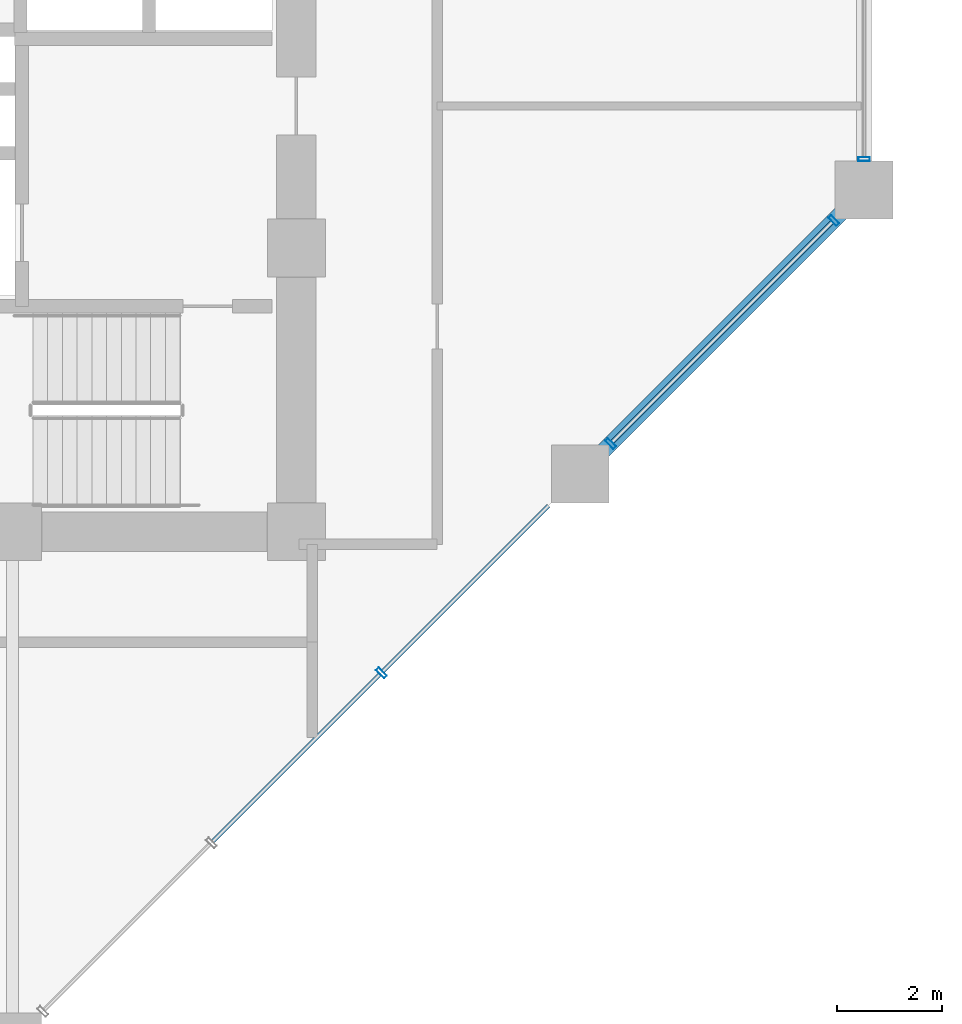
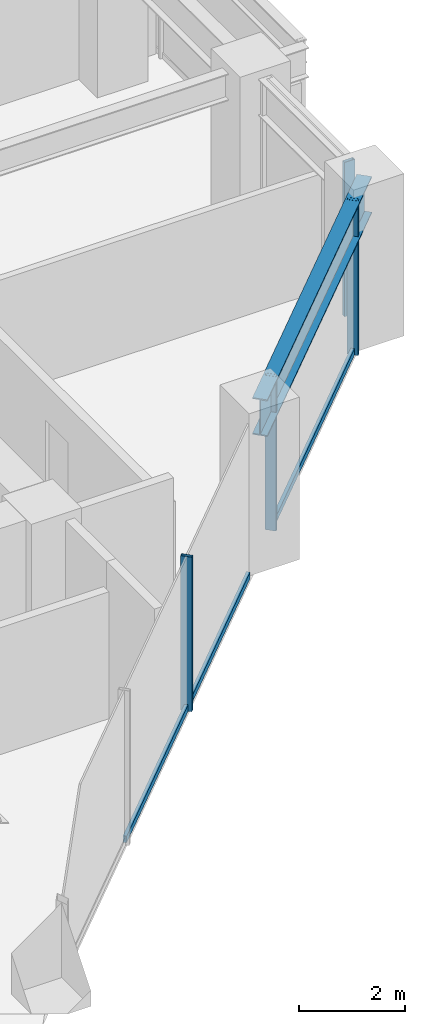
# One storey, part 8 of 26: 7 members, 1 beam, 2 elements without a shape of their own.
"""IFC4 building model written with IfcOpenShell, lengths in metres."""

from ifc_helpers import new_model, si_unit, direction, frame, origin, origin_2d, place, context, subcontext, project, spatial, hollow_rectangle, i_section, extrude, material, layer, layer_set, material_profile, profile_set, type_object, element, aggregate, save


model = new_model("IFC4")

# Units and contexts
model_context = context("Model", 3, precision=1e-05, world=origin(), true_north=direction((0.0, 1.0)))
body_context = subcontext(model_context, "Body", "Model", "MODEL_VIEW")
ifc_project = project(units=[si_unit("LENGTHUNIT", "METRE"), si_unit("AREAUNIT", "SQUARE_METRE"), si_unit("VOLUMEUNIT", "CUBIC_METRE"), si_unit("PLANEANGLEUNIT", "RADIAN"), si_unit("MASSUNIT", "GRAM", prefix="KILO")], contexts=[model_context])

# Site, building, storey
site_placement = place(None, origin())
site = spatial("IfcSite", under=ifc_project, at=site_placement, CompositionType="ELEMENT")
building_placement = place(site_placement, origin())
building = spatial("IfcBuilding", under=site, at=building_placement, Name="Surkhivell Harbour Commons", CompositionType="ELEMENT")
storey_placement = place(building_placement, frame((0.0, 0.0, 102.0)))
storey = spatial("IfcBuildingStorey", under=building, at=storey_placement, Name="L26", CompositionType="ELEMENT", Elevation=102.0)

# Beam
ifc_material_1 = material(Name="Steel S460", Category="steel")
ifc_material_profile_1 = material_profile(ifc_material_1, i_section(OverallWidth=0.2939453125, OverallDepth=0.85107421875, WebThickness=0.01611328125, FlangeThickness=0.02685546875, at=origin_2d()), Name="UB838x292x226")
ifc_profile_set_1 = profile_set([ifc_material_profile_1], Name="Steel S460")
beam_type = type_object("IfcBeamType", Name="BM-SPN-838", PredefinedType="SPANDREL", material=ifc_profile_set_1)
beam_placement = place(storey_placement, frame((16.199951171875, -9.699951171875, 3.14453125), z_axis=(0.707122765516, 0.707090796496, 0.0), x_axis=(-0.707090796496, 0.707122765516, 0.0)))
element("IfcBeam", 1, at=beam_placement, inside=storey, type_object=beam_type, Name="L26 Tube Spandrel (16.2,-9.7)", PredefinedType="SPANDREL", context=body_context, shape_type="SweptSolid", body=[
    extrude(i_section(OverallWidth=0.2939453125, OverallDepth=0.85107421875, WebThickness=0.01611328125, FlangeThickness=0.02685546875, at=origin_2d()), origin(), (0.0, 0.0, 1.0), 7.63671875),
])

# Curtain wall, members
ifc_material_2 = material(Name="Anodised pale-metal aluminium and insulated glazing", Category="aluminium")
ifc_layer = layer(ifc_material_2, 0.205078125)
ifc_layer_set = layer_set([ifc_layer], Name="Anodised pale-metal aluminium and insulated glazing")
curtain_wall_type = type_object("IfcCurtainWallType", Name="CW-SYS-Z2", PredefinedType="NOTDEFINED", material=ifc_layer_set)
curtain_wall_1_placement = place(storey_placement, origin())
curtain_wall_1 = element("IfcCurtainWall", 2, at=curtain_wall_1_placement, inside=storey, type_object=curtain_wall_type, Name="L26 Curtain Wall CW-L26-E01", PredefinedType="NOTDEFINED")
ifc_material_3 = material(Name="Anodised pale-metal aluminium alloy 6063-T6", Category="aluminium")
ifc_material_profile_2 = material_profile(ifc_material_3, hollow_rectangle(XDim=0.074951171875, YDim=0.219970703125, WallThickness=0.00390625, at=origin_2d()), Name="ALU-MULL-75x220")
ifc_profile_set_2 = profile_set([ifc_material_profile_2], Name="Anodised pale-metal aluminium alloy 6063-T6")
member_type_1 = type_object("IfcMemberType", Name="CWM-220", PredefinedType="MULLION", material=ifc_profile_set_2)
member_1_placement = place(storey_placement, frame((12.416015625, -13.48388671875, 0.0), z_axis=(0.0, 0.0, 1.0), x_axis=(0.707106781187, 0.707106781187, 0.0)))
member_1 = element("IfcMember", 3, at=member_1_placement, type_object=member_type_1, Name="CW-Z2 mullion 4", PredefinedType="MULLION", context=body_context, shape_type="SweptSolid", body=[
    extrude(hollow_rectangle(XDim=0.074951171875, YDim=0.219970703125, WallThickness=0.00390625, at=origin_2d()), origin(), (0.0, 0.0, 1.0), 3.570068359375),
])
member_2_placement = place(storey_placement, frame((16.7783203125, -9.121826171875, 0.0), z_axis=(0.0, 0.0, 1.0), x_axis=(0.707106781187, 0.707106781187, 0.0)))
member_2 = element("IfcMember", 4, at=member_2_placement, type_object=member_type_1, Name="CW-Z2 mullion 5", PredefinedType="MULLION", context=body_context, shape_type="SweptSolid", body=[
    extrude(hollow_rectangle(XDim=0.074951171875, YDim=0.219970703125, WallThickness=0.00390625, at=origin_2d()), origin(), (0.0, 0.0, 1.0), 3.570068359375),
])
member_3_placement = place(storey_placement, frame((21.021728515625, -4.878173828125, 0.0), z_axis=(0.0, 0.0, 1.0), x_axis=(0.707106781187, 0.707106781187, 0.0)))
member_3 = element("IfcMember", 5, at=member_3_placement, type_object=member_type_1, Name="CW-Z2 mullion 6", PredefinedType="MULLION", context=body_context, shape_type="SweptSolid", body=[
    extrude(hollow_rectangle(XDim=0.074951171875, YDim=0.219970703125, WallThickness=0.00390625, at=origin_2d()), origin(), (0.0, 0.0, 1.0), 3.570068359375),
])

# Curtain wall, member
curtain_wall_2_placement = place(storey_placement, origin())
curtain_wall_2 = element("IfcCurtainWall", 6, at=curtain_wall_2_placement, inside=storey, type_object=curtain_wall_type, Name="L26 Curtain Wall CW-L26-E02R1", PredefinedType="NOTDEFINED")
member_4_placement = place(storey_placement, frame((21.60009765625, -3.71044921875, 0.0), z_axis=(0.0, 0.0, 1.0), x_axis=(0.0, 1.0, 0.0)))
member_4 = element("IfcMember", 7, at=member_4_placement, type_object=member_type_1, Name="CW-Z2 mullion 1", PredefinedType="MULLION", context=body_context, shape_type="SweptSolid", body=[
    extrude(hollow_rectangle(XDim=0.074951171875, YDim=0.219970703125, WallThickness=0.00390625, at=origin_2d()), origin(), (0.0, 0.0, 1.0), 3.570068359375),
])
aggregate(curtain_wall_2, [member_4])

# Member
ifc_material_profile_3 = material_profile(ifc_material_3, hollow_rectangle(XDim=0.074951171875, YDim=0.14990234375, WallThickness=0.00341796875, at=origin_2d()), Name="ALU-TRAN-75x150")
ifc_profile_set_3 = profile_set([ifc_material_profile_3], Name="Anodised pale-metal aluminium alloy 6063-T6")
member_type_2 = type_object("IfcMemberType", Name="CWT-150", PredefinedType="USERDEFINED", material=ifc_profile_set_3)
member_5_placement = place(storey_placement, frame((9.21044921875, -16.689697265625, 0.074951171875), z_axis=(0.707106781187, 0.707106781187, 0.0), x_axis=(-0.707106781187, 0.707106781187, 0.0)))
member_5 = element("IfcMember", 8, at=member_5_placement, type_object=member_type_2, Name="CW-Z2 transom 3.1", ObjectType="TRANSOM", PredefinedType="USERDEFINED", context=body_context, shape_type="SweptSolid", body=[
    extrude(hollow_rectangle(XDim=0.074951171875, YDim=0.14990234375, WallThickness=0.00341796875, at=origin_2d()), origin(), (0.0, 0.0, 1.0), 4.49609375),
])

member_6_placement = place(storey_placement, frame((12.442626953125, -13.457275390625, 0.074951171875), z_axis=(0.707106781187, 0.707106781187, 0.0), x_axis=(-0.707106781187, 0.707106781187, 0.0)))
member_6 = element("IfcMember", 9, at=member_6_placement, type_object=member_type_2, Name="CW-Z2 transom 4.1", ObjectType="TRANSOM", PredefinedType="USERDEFINED", context=body_context, shape_type="SweptSolid", body=[
    extrude(hollow_rectangle(XDim=0.074951171875, YDim=0.14990234375, WallThickness=0.00341796875, at=origin_2d()), origin(), (0.0, 0.0, 1.0), 4.45849609375),
])

member_7_placement = place(storey_placement, frame((16.8046875, -9.09521484375, 0.074951171875), z_axis=(0.707127378829, 0.707086182944, 0.0), x_axis=(-0.707086182944, 0.707127378829, 0.0)))
member_7 = element("IfcMember", 10, at=member_7_placement, type_object=member_type_2, Name="CW-Z2 transom 5.1", ObjectType="TRANSOM", PredefinedType="USERDEFINED", context=body_context, shape_type="SweptSolid", body=[
    extrude(hollow_rectangle(XDim=0.074951171875, YDim=0.14990234375, WallThickness=0.00341796875, at=origin_2d()), origin(), (0.0, 0.0, 1.0), 5.92626953125),
])

aggregate(curtain_wall_1, [member_1, member_5, member_6, member_2, member_3, member_7])

save(model, "model.ifc")
